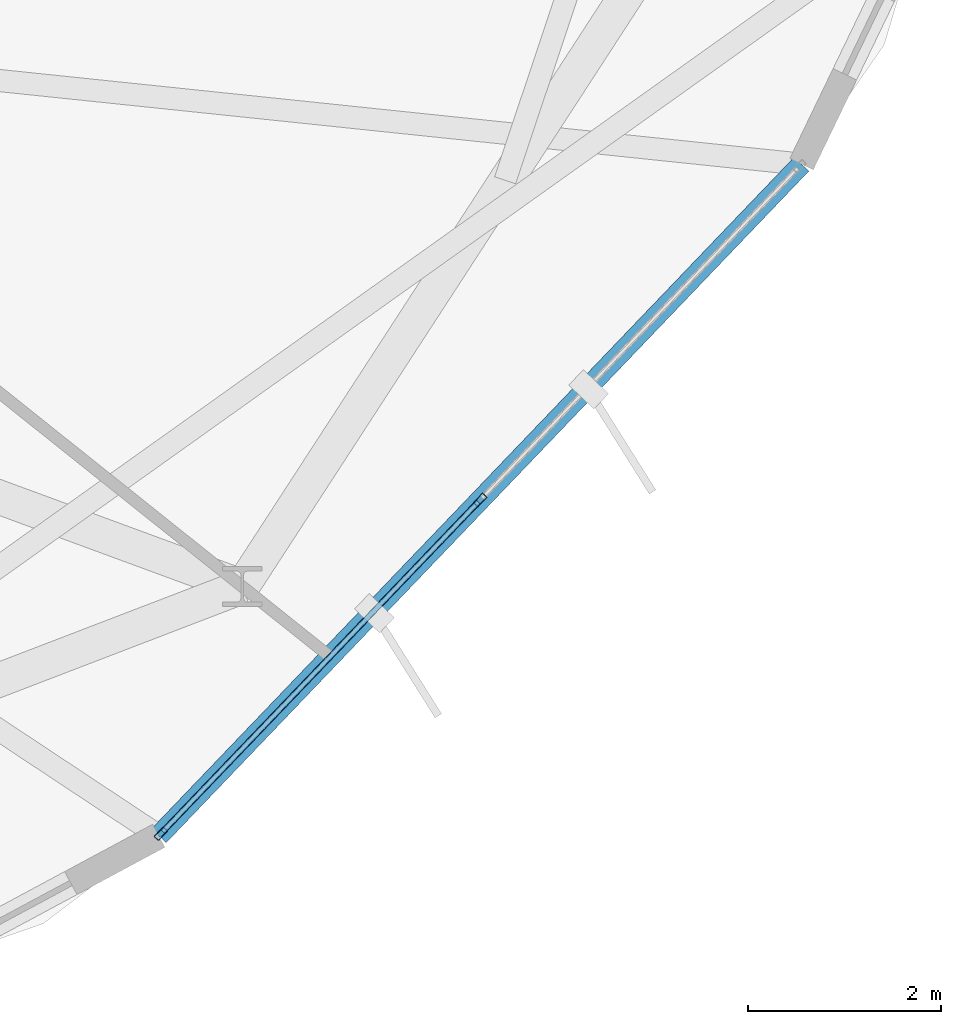
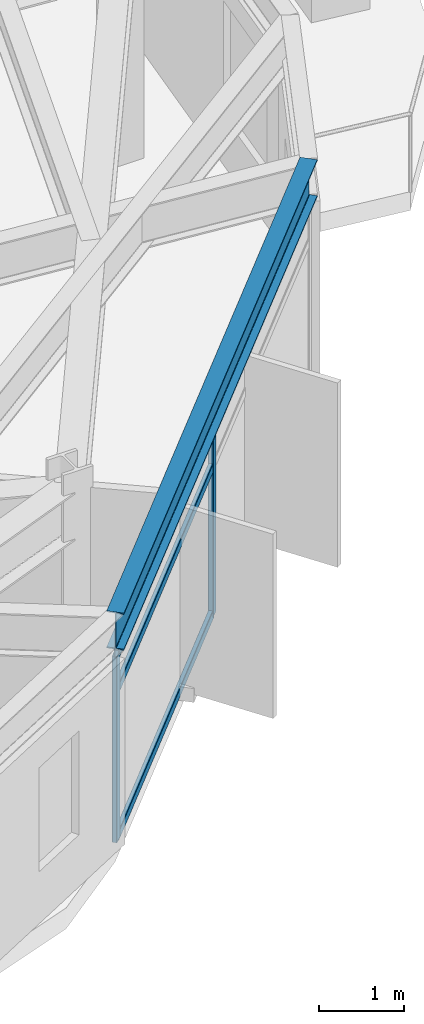
# One storey, part 11 of 27: 5 members, 1 beam, 1 element without a shape of its own.
"""IFC4 building model written with IfcOpenShell, lengths in metres."""

from ifc_helpers import new_model, si_unit, direction, frame, origin, origin_2d, place, context, subcontext, project, spatial, hollow_rectangle, i_section, extrude, material, layer, layer_set, material_profile, profile_set, type_object, element, aggregate, save


model = new_model("IFC4")

# Units and contexts
model_context = context("Model", 3, precision=1e-05, world=origin(), true_north=direction((0.0, 1.0)))
body_context = subcontext(model_context, "Body", "Model", "MODEL_VIEW")
ifc_project = project(units=[si_unit("LENGTHUNIT", "METRE"), si_unit("AREAUNIT", "SQUARE_METRE"), si_unit("VOLUMEUNIT", "CUBIC_METRE"), si_unit("PLANEANGLEUNIT", "RADIAN"), si_unit("MASSUNIT", "GRAM", prefix="KILO")], contexts=[model_context])

# Site, building, storey
site_placement = place(None, origin())
site = spatial("IfcSite", under=ifc_project, at=site_placement, CompositionType="ELEMENT")
building_placement = place(site_placement, origin())
building = spatial("IfcBuilding", under=site, at=building_placement, Name="Soratama Intermodal Tower", CompositionType="ELEMENT")
storey_placement = place(building_placement, frame((0.0, 0.0, 208.60009765625)))
storey = spatial("IfcBuildingStorey", under=building, at=storey_placement, Name="L52", CompositionType="ELEMENT", Elevation=208.60009765625)

# Beam
ifc_material_1 = material(Name="Structural steel ASTM A992 Grade 50", Category="steel")
ifc_material_profile_1 = material_profile(ifc_material_1, i_section(OverallWidth=0.2099609375, OverallDepth=0.537109375, WebThickness=0.010986328125, FlangeThickness=0.017333984375, FilletRadius=0.012939453125, at=origin_2d()), Name="W21X68")
ifc_profile_set_1 = profile_set([ifc_material_profile_1], Name="Structural steel ASTM A992 Grade 50")
beam_type = type_object("IfcBeamType", Name="BM-SPN-W21X68", PredefinedType="SPANDREL", material=ifc_profile_set_1)
beam_placement = place(storey_placement, frame((55.841064453125, 7.965087890625, 3.031494140625), z_axis=(0.691360282894, 0.722510179331, 0.0), x_axis=(-0.722510179331, 0.691360282894, 0.0)))
element("IfcBeam", 1, at=beam_placement, inside=storey, type_object=beam_type, Name="BS-L52-F08", PredefinedType="SPANDREL", context=body_context, shape_type="SweptSolid", body=[
    extrude(i_section(OverallWidth=0.2099609375, OverallDepth=0.537109375, WebThickness=0.010986328125, FlangeThickness=0.017333984375, FilletRadius=0.012939453125, at=origin_2d()), origin(), (0.0, 0.0, 1.0), 9.62451171875),
])

# Curtain wall, members
ifc_material_2 = material(Name="Double-glazed aluminium curtain wall", Category="aluminium")
ifc_layer = layer(ifc_material_2, 0.159912109375)
ifc_layer_set = layer_set([ifc_layer], Name="Double-glazed aluminium curtain wall")
curtain_wall_type = type_object("IfcCurtainWallType", Name="CW-SYS-5", PredefinedType="NOTDEFINED", material=ifc_layer_set)
curtain_wall_placement = place(storey_placement, origin())
curtain_wall = element("IfcCurtainWall", 2, at=curtain_wall_placement, inside=storey, type_object=curtain_wall_type, Name="L52 Faceted Curtain Wall F08", PredefinedType="NOTDEFINED")
ifc_material_3 = material(Name="Anodised aluminium AA 6063-T6", Category="aluminium")
ifc_material_profile_2 = material_profile(ifc_material_3, hollow_rectangle(XDim=0.06494140625, YDim=0.139892578125, WallThickness=0.0048828125, InnerFilletRadius=0.0048828125, OuterFilletRadius=0.010009765625, at=origin_2d()), Name="CWM140X65X5")
ifc_profile_set_2 = profile_set([ifc_material_profile_2], Name="Anodised aluminium AA 6063-T6")
member_type_1 = type_object("IfcMemberType", Name="MT-CWM-5", PredefinedType="MULLION", material=ifc_profile_set_2)
member_1_placement = place(storey_placement, frame((55.861572265625, 7.987060546875, 0.0), z_axis=(0.0, 0.0, 1.0), x_axis=(-0.72248523177, 0.691386353549, 0.0)))
member_1 = element("IfcMember", 3, at=member_1_placement, type_object=member_type_1, Name="CW-5 mullion 1", PredefinedType="MULLION", context=body_context, shape_type="SweptSolid", body=[
    extrude(hollow_rectangle(XDim=0.06494140625, YDim=0.139892578125, WallThickness=0.0048828125, InnerFilletRadius=0.0048828125, OuterFilletRadius=0.010009765625, at=origin_2d()), origin(), (0.0, 0.0, 1.0), 2.678955078125),
])
member_2_placement = place(storey_placement, frame((59.16796875, 11.44189453125, 0.0), z_axis=(0.0, 0.0, 1.0), x_axis=(-0.72248523177, 0.691386353549, 0.0)))
member_2 = element("IfcMember", 4, at=member_2_placement, type_object=member_type_1, Name="CW-5 mullion 2", PredefinedType="MULLION", context=body_context, shape_type="SweptSolid", body=[
    extrude(hollow_rectangle(XDim=0.06494140625, YDim=0.139892578125, WallThickness=0.0048828125, InnerFilletRadius=0.0048828125, OuterFilletRadius=0.010009765625, at=origin_2d()), origin(), (0.0, 0.0, 1.0), 2.678955078125),
])
ifc_material_4 = material(Name="Anodised aluminium AA 6063-T6", Category="aluminium")
ifc_material_profile_3 = material_profile(ifc_material_4, hollow_rectangle(XDim=0.06005859375, YDim=0.1298828125, WallThickness=0.0048828125, InnerFilletRadius=0.0048828125, OuterFilletRadius=0.010009765625, at=origin_2d()), Name="CWT130X60X5")
ifc_profile_set_3 = profile_set([ifc_material_profile_3], Name="Anodised aluminium AA 6063-T6")
member_type_2 = type_object("IfcMemberType", Name="TT-CWT-2", PredefinedType="USERDEFINED", material=ifc_profile_set_3)
member_3_placement = place(storey_placement, frame((55.88232421875, 8.008544921875, 0.02978515625), z_axis=(0.691399879071, 0.722472288203, 0.0), x_axis=(-0.722472288203, 0.691399879071, 0.0)))
member_3 = element("IfcMember", 5, at=member_3_placement, type_object=member_type_2, Name="CW-5 transom 1.1", ObjectType="TRANSOM", PredefinedType="USERDEFINED", context=body_context, shape_type="SweptSolid", body=[
    extrude(hollow_rectangle(XDim=0.06005859375, YDim=0.1298828125, WallThickness=0.0048828125, InnerFilletRadius=0.0048828125, OuterFilletRadius=0.010009765625, at=origin_2d()), origin(), (0.0, 0.0, 1.0), 4.72216796875),
])
member_4_placement = place(storey_placement, frame((55.88232421875, 8.008544921875, 2.14990234375), z_axis=(0.691399879071, 0.722472288203, 0.0), x_axis=(-0.722472288203, 0.691399879071, 0.0)))
member_4 = element("IfcMember", 6, at=member_4_placement, type_object=member_type_2, Name="CW-5 transom 1.2", ObjectType="TRANSOM", PredefinedType="USERDEFINED", context=body_context, shape_type="SweptSolid", body=[
    extrude(hollow_rectangle(XDim=0.06005859375, YDim=0.1298828125, WallThickness=0.0048828125, InnerFilletRadius=0.0048828125, OuterFilletRadius=0.010009765625, at=origin_2d()), origin(), (0.0, 0.0, 1.0), 4.72216796875),
])
member_5_placement = place(storey_placement, frame((55.88232421875, 8.008544921875, 2.64892578125), z_axis=(0.691399879071, 0.722472288203, 0.0), x_axis=(-0.722472288203, 0.691399879071, 0.0)))
member_5 = element("IfcMember", 7, at=member_5_placement, type_object=member_type_2, Name="CW-5 transom 1.3", ObjectType="TRANSOM", PredefinedType="USERDEFINED", context=body_context, shape_type="SweptSolid", body=[
    extrude(hollow_rectangle(XDim=0.06005859375, YDim=0.1298828125, WallThickness=0.0048828125, InnerFilletRadius=0.0048828125, OuterFilletRadius=0.010009765625, at=origin_2d()), origin(), (0.0, 0.0, 1.0), 4.72216796875),
])
aggregate(curtain_wall, [member_1, member_2, member_3, member_4, member_5])

save(model, "model.ifc")
